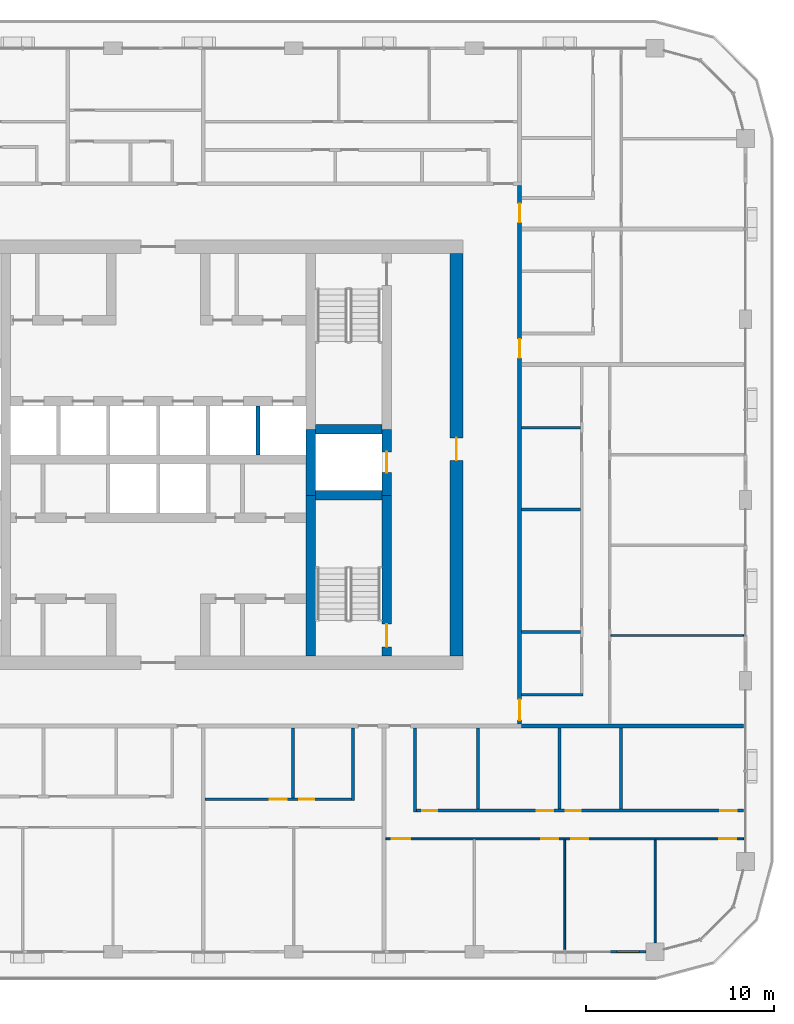
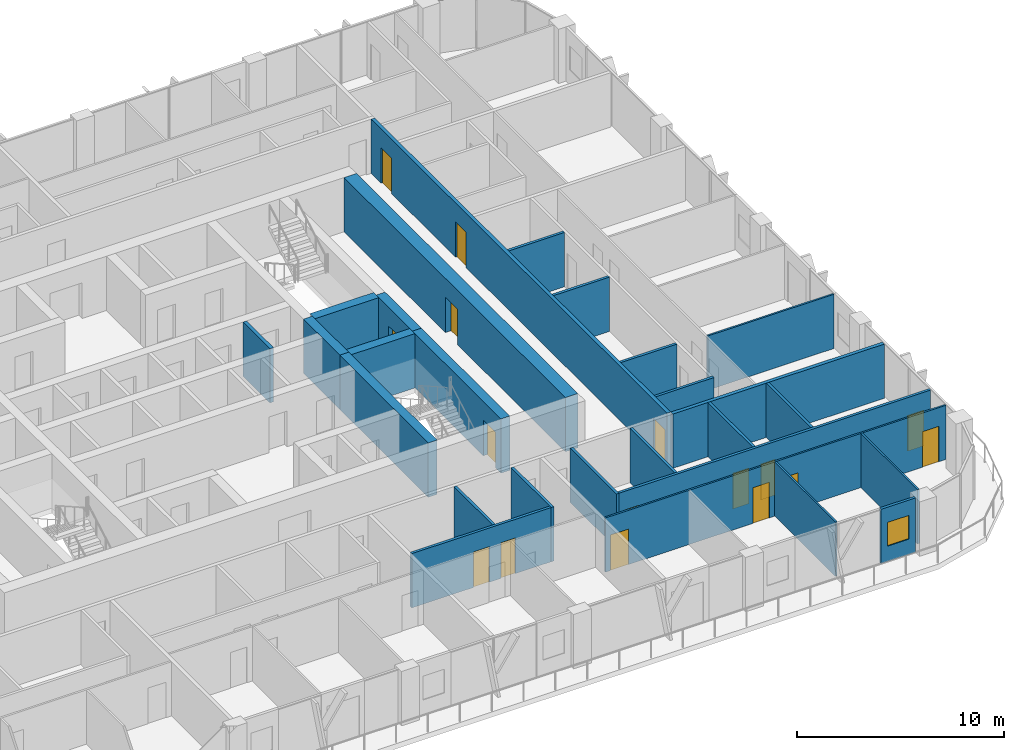
# One storey, part 12 of 22: 27 walls, 16 doors, 1 window, 17 openings.
"""IFC4 building model written with IfcOpenShell, lengths in metres."""

from ifc_helpers import new_model, si_unit, direction, frame, frame_2d, origin, place, context, subcontext, project, spatial, rectangle, extrude, material, layer, layer_set, type_object, element, fill, save


model = new_model("IFC4")

# Units and contexts
model_context = context("Model", 3, precision=1e-05, world=origin(), true_north=direction((0.0, 1.0)))
body_context = subcontext(model_context, "Body", "Model", "MODEL_VIEW")
ifc_project = project(units=[si_unit("LENGTHUNIT", "METRE"), si_unit("AREAUNIT", "SQUARE_METRE"), si_unit("VOLUMEUNIT", "CUBIC_METRE"), si_unit("PLANEANGLEUNIT", "RADIAN"), si_unit("MASSUNIT", "GRAM", prefix="KILO")], contexts=[model_context])

# Site, building, storey
site_placement = place(None, origin())
site = spatial("IfcSite", under=ifc_project, at=site_placement, CompositionType="ELEMENT")
building_placement = place(site_placement, origin())
building = spatial("IfcBuilding", under=site, at=building_placement, Name="Madar Terraces", CompositionType="ELEMENT")
storey_placement = place(building_placement, frame((0.0, 0.0, 178.89990234375)))
storey = spatial("IfcBuildingStorey", under=building, at=storey_placement, Name="L46", CompositionType="ELEMENT", Elevation=178.89990234375)

# Walls
ifc_material_1 = material(Name="Concrete C60/75", Category="concrete")
ifc_layer_1 = layer(ifc_material_1, 0.5)
ifc_layer_set_1 = layer_set([ifc_layer_1], Name="Concrete C60/75 (CIW4 RC wall 500)")
wall_type_1 = type_object("IfcWallType", Name="CIW4 RC wall 500", PredefinedType="SHEAR", material=ifc_layer_set_1)
wall_1_placement = place(storey_placement, frame((39.300048828125, 15.699951171875, 0.0), z_axis=(0.0, 0.0, 1.0), x_axis=(0.0, 1.0, 0.0)))
element("IfcWall", 1, at=wall_1_placement, inside=storey, type_object=wall_type_1, Name="CORE SHAFT WALL", PredefinedType="SHEAR", context=body_context, shape_type="SweptSolid", body=[
    extrude(rectangle(XDim=8.550048828125, YDim=0.5, at=frame_2d((4.27490234375, 0.0))), origin(), (0.0, 0.0, 1.0), 3.2001953125),
])
wall_2_placement = place(storey_placement, frame((39.300048828125, 24.25, 0.0), z_axis=(0.0, 0.0, 1.0), x_axis=(0.0, 1.0, 0.0)))
element("IfcWall", 2, at=wall_2_placement, inside=storey, type_object=wall_type_1, Name="CORE SHAFT WALL", PredefinedType="SHEAR", context=body_context, shape_type="SweptSolid", body=[
    extrude(rectangle(XDim=3.5, YDim=0.5, at=frame_2d((1.75, 0.0))), origin(), (0.0, 0.0, 1.0), 3.2001953125),
])

# Wall, opening, door
wall_3_placement = place(storey_placement, frame((43.35009765625, 15.699951171875, 0.0), z_axis=(0.0, 0.0, 1.0), x_axis=(0.0, 1.0, 0.0)))
wall_3 = element("IfcWall", 3, at=wall_3_placement, inside=storey, type_object=wall_type_1, Name="CORE SHAFT WALL", PredefinedType="SHEAR", context=body_context, shape_type="SweptSolid", body=[
    extrude(rectangle(XDim=8.550048828125, YDim=0.5, at=frame_2d((4.27490234375, 0.0))), origin(), (0.0, 0.0, 1.0), 3.2001953125),
])
opening_1_placement = place(wall_3_placement, frame((0.5, 0.0, 0.0)))
opening_1 = element("IfcOpeningElement", 4, at=opening_1_placement, cuts=wall_3, Name="Opening SD1", PredefinedType="OPENING", context=body_context, shape_type="SweptSolid", body=[
    extrude(rectangle(XDim=1.199951171875, YDim=2.10009765625, at=frame_2d((0.60009765625, 1.050048828125))), frame((0.0, 0.260009765625, 0.0), z_axis=(0.0, -1.0, 0.0), x_axis=(1.0, 0.0, 0.0)), (0.0, 0.0, 1.0), 0.52001953125),
])
ifc_material_2 = material(Name="Steel door leaf", Category="steel")
door_type_1 = type_object("IfcDoorType", Name="Stair door 1200 x 2100", OperationType="NOTDEFINED", PredefinedType="DOOR", material=ifc_material_2)
door_1_placement = place(opening_1_placement, origin())
door_1 = element("IfcDoor", 5, at=door_1_placement, inside=storey, type_object=door_type_1, Name="STAIR DOOR", OperationType="SINGLE_SWING_LEFT", OverallHeight=2.10009765625, OverallWidth=1.199951171875, PredefinedType="DOOR", context=body_context, shape_type="SweptSolid", body=[
    extrude(rectangle(XDim=1.199951171875, YDim=2.10009765625, at=frame_2d((0.60009765625, 1.050048828125))), frame((0.0, 0.02490234375, 0.0), z_axis=(0.0, -1.0, 0.0), x_axis=(1.0, 0.0, 0.0)), (0.0, 0.0, 1.0), 0.050048828125),
])
fill(opening_1, door_1)

wall_4_placement = place(storey_placement, frame((43.35009765625, 24.25, 0.0), z_axis=(0.0, 0.0, 1.0), x_axis=(0.0, 1.0, 0.0)))
wall_4 = element("IfcWall", 6, at=wall_4_placement, inside=storey, type_object=wall_type_1, Name="CORE SHAFT WALL", PredefinedType="SHEAR", context=body_context, shape_type="SweptSolid", body=[
    extrude(rectangle(XDim=3.5, YDim=0.5, at=frame_2d((1.75, 0.0))), origin(), (0.0, 0.0, 1.0), 3.2001953125),
])
opening_2_placement = place(wall_4_placement, frame((1.199951171875, 0.0, 0.0)))
opening_2 = element("IfcOpeningElement", 7, at=opening_2_placement, cuts=wall_4, Name="Opening LD", PredefinedType="OPENING", context=body_context, shape_type="SweptSolid", body=[
    extrude(rectangle(XDim=1.10009765625, YDim=2.10009765625, at=frame_2d((0.550048828125, 1.050048828125))), frame((0.0, 0.260009765625, 0.0), z_axis=(0.0, -1.0, 0.0), x_axis=(1.0, 0.0, 0.0)), (0.0, 0.0, 1.0), 0.52001953125),
])
ifc_material_3 = material(Name="Stainless steel panel", Category="steel")
door_type_2 = type_object("IfcDoorType", Name="Lift landing door 1100 x 2100", OperationType="DOUBLE_DOOR_SLIDING", PredefinedType="DOOR", material=ifc_material_3)
door_2_placement = place(opening_2_placement, origin())
door_2 = element("IfcDoor", 8, at=door_2_placement, inside=storey, type_object=door_type_2, Name="LIFT LANDING DOOR", OperationType="DOUBLE_DOOR_SLIDING", OverallHeight=2.10009765625, OverallWidth=1.10009765625, PredefinedType="DOOR", context=body_context, shape_type="SweptSolid", body=[
    extrude(rectangle(XDim=1.10009765625, YDim=2.10009765625, at=frame_2d((0.550048828125, 1.050048828125))), frame((0.0, 0.02490234375, 0.0), z_axis=(0.0, -1.0, 0.0), x_axis=(1.0, 0.0, 0.0)), (0.0, 0.0, 1.0), 0.050048828125),
])
fill(opening_2, door_2)

# Walls
for number, where, z_axis, x_axis, name in (
    (9, (39.550048828125, 24.25, 0.0), (0.0, 0.0, 1.0), (1.0, 0.0, 0.0), "CORE SHAFT WALL"),
    (10, (39.550048828125, 27.75, 0.0), (0.0, 0.0, 1.0), (1.0, 0.0, 0.0), "CORE SHAFT WALL"),
):
    element("IfcWall", number, at=place(storey_placement, frame(where, z_axis=z_axis, x_axis=x_axis)), inside=storey, type_object=wall_type_1, Name=name, PredefinedType="SHEAR", context=body_context, shape_type="SweptSolid", body=[
        extrude(rectangle(XDim=3.550048828125, YDim=0.5, at=frame_2d((1.77490234375, 0.0))), origin(), (0.0, 0.0, 1.0), 3.2001953125),
    ])

# Wall, opening, door
ifc_material_4 = material(Name="Concrete C60/75", Category="concrete")
ifc_layer_2 = layer(ifc_material_4, 0.699951171875)
ifc_layer_set_2 = layer_set([ifc_layer_2], Name="Concrete C60/75 (CRW4 RC wall 700)")
wall_type_2 = type_object("IfcWallType", Name="CRW4 RC wall 700", PredefinedType="SHEAR", material=ifc_layer_set_2)
wall_5_placement = place(storey_placement, frame((47.050048828125, 15.699951171875, 0.0), z_axis=(0.0, 0.0, 1.0), x_axis=(0.0, 1.0, 0.0)))
wall_5 = element("IfcWall", 11, at=wall_5_placement, inside=storey, type_object=wall_type_2, Name="CORE OUTER WALL", PredefinedType="SHEAR", context=body_context, shape_type="SweptSolid", body=[
    extrude(rectangle(XDim=21.400146484375, YDim=0.699951171875, at=frame_2d((10.7001953125, 0.0))), origin(), (0.0, 0.0, 1.0), 3.2001953125),
])
opening_3_placement = place(wall_5_placement, frame((10.39990234375, 0.0, 0.0)))
opening_3 = element("IfcOpeningElement", 12, at=opening_3_placement, cuts=wall_5, Name="Opening SD1", PredefinedType="OPENING", context=body_context, shape_type="SweptSolid", body=[
    extrude(rectangle(XDim=1.199951171875, YDim=2.10009765625, at=frame_2d((0.60009765625, 1.050048828125))), frame((0.0, 0.35986328125, 0.0), z_axis=(0.0, -1.0, 0.0), x_axis=(1.0, 0.0, 0.0)), (0.0, 0.0, 1.0), 0.719970703125),
])
door_3_placement = place(opening_3_placement, origin())
door_3 = element("IfcDoor", 13, at=door_3_placement, inside=storey, type_object=door_type_1, Name="STAIR DOOR", OperationType="SINGLE_SWING_RIGHT", OverallHeight=2.10009765625, OverallWidth=1.199951171875, PredefinedType="DOOR", context=body_context, shape_type="SweptSolid", body=[
    extrude(rectangle(XDim=1.199951171875, YDim=2.10009765625, at=frame_2d((0.60009765625, 1.050048828125))), frame((0.0, 0.02490234375, 0.0), z_axis=(0.0, -1.0, 0.0), x_axis=(1.0, 0.0, 0.0)), (0.0, 0.0, 1.0), 0.050048828125),
])
fill(opening_3, door_3)

# Wall
ifc_material_5 = material(Name="Concrete C40/50", Category="concrete")
ifc_layer_3 = layer(ifc_material_5, 0.199951171875)
ifc_layer_set_3 = layer_set([ifc_layer_3], Name="Core shaft dividing wall 200 C40/50")
wall_type_3 = type_object("IfcWallType", Name="Core shaft dividing wall 200 C40/50", PredefinedType="SOLIDWALL", material=ifc_layer_set_3)
wall_6_placement = place(storey_placement, frame((36.5, 26.39990234375, 0.0), z_axis=(0.0, 0.0, 1.0), x_axis=(0.0, 1.0, 0.0)))
element("IfcWall", 14, at=wall_6_placement, inside=storey, type_object=wall_type_3, Name="SHAFT DIVIDING WALL", PredefinedType="SOLIDWALL", context=body_context, shape_type="SweptSolid", body=[
    extrude(rectangle(XDim=2.60009765625, YDim=0.199951171875, at=frame_2d((1.300048828125, 0.0))), origin(), (0.0, 0.0, 1.0), 3.2001953125),
])

# Wall, opening, window
ifc_material_6 = material(Name="Aluminium composite panel, black, over insulated backing", Category="aluminium")
ifc_layer_4 = layer(ifc_material_6, 0.14990234375)
ifc_layer_set_4 = layer_set([ifc_layer_4], Name="Facade bay panel 150")
wall_type_4 = type_object("IfcWallType", Name="Facade bay panel 150", PredefinedType="SOLIDWALL", material=ifc_layer_set_4)
wall_7_placement = place(storey_placement, frame((55.199951171875, 0.0, 0.0), z_axis=(0.0, 0.0, 1.0), x_axis=(1.0, 0.0, 0.0)))
wall_7 = element("IfcWall", 15, at=wall_7_placement, inside=storey, type_object=wall_type_4, Name="Facade bay panel", PredefinedType="SOLIDWALL", context=body_context, shape_type="SweptSolid", body=[
    extrude(rectangle(XDim=1.925048828125, YDim=0.14990234375, at=frame_2d((0.96240234375, 0.0))), origin(), (0.0, 0.0, 1.0), 3.2001953125),
])
opening_4_placement = place(wall_7_placement, frame((0.362548828125, 0.0, 0.89990234375)))
opening_4 = element("IfcOpeningElement", 16, at=opening_4_placement, cuts=wall_7, Name="Opening W1", PredefinedType="OPENING", context=body_context, shape_type="SweptSolid", body=[
    extrude(rectangle(XDim=1.199951171875, YDim=1.39990234375, at=frame_2d((0.60009765625, 0.699951171875))), frame((0.0, 0.0849609375, 0.0), z_axis=(0.0, -1.0, 0.0), x_axis=(1.0, 0.0, 0.0)), (0.0, 0.0, 1.0), 0.169921875),
])
ifc_material_7 = material(Name="Glass, clear, with black aluminium frame", Category="aluminium")
window_type = type_object("IfcWindowType", Name="Vent window 1200 x 1400", PartitioningType="SINGLE_PANEL", PredefinedType="WINDOW", material=ifc_material_7)
window_placement = place(opening_4_placement, origin())
window = element("IfcWindow", 17, at=window_placement, inside=storey, type_object=window_type, Name="Operable vent window", OverallHeight=1.39990234375, OverallWidth=1.199951171875, PartitioningType="SINGLE_PANEL", PredefinedType="WINDOW", context=body_context, shape_type="SweptSolid", body=[
    extrude(rectangle(XDim=1.199951171875, YDim=1.39990234375, at=frame_2d((0.60009765625, 0.699951171875))), frame((0.0, 0.030029296875, 0.0), z_axis=(0.0, -1.0, 0.0), x_axis=(1.0, 0.0, 0.0)), (0.0, 0.0, 1.0), 0.06005859375),
])
fill(opening_4, window)

# Walls
ifc_material_8 = material(Name="Gypsum board on steel studs", Category="steel")
ifc_layer_5 = layer(ifc_material_8, 0.10009765625)
ifc_layer_set_5 = layer_set([ifc_layer_5], Name="Flat partition 100")
wall_type_5 = type_object("IfcWallType", Name="Flat partition 100", PredefinedType="PARTITIONING", material=ifc_layer_set_5)
wall_8_placement = place(storey_placement, frame((52.800048828125, 5.949951171875, 0.0), z_axis=(0.0, 0.0, 1.0), x_axis=(0.0, -1.0, 0.0)))
element("IfcWall", 18, at=wall_8_placement, inside=storey, type_object=wall_type_5, Name="Flat partition 100", PredefinedType="PARTITIONING", context=body_context, shape_type="SweptSolid", body=[
    extrude(rectangle(XDim=5.849853515625, YDim=0.10009765625, at=frame_2d((2.9248046875, 0.0))), origin(), (0.0, 0.0, 1.0), 3.2001953125),
])
wall_9_placement = place(storey_placement, frame((57.60009765625, 5.949951171875, 0.0), z_axis=(0.0, 0.0, 1.0), x_axis=(0.0, -1.0, 0.0)))
element("IfcWall", 19, at=wall_9_placement, inside=storey, type_object=wall_type_5, Name="Flat partition 100", PredefinedType="PARTITIONING", context=body_context, shape_type="SweptSolid", body=[
    extrude(rectangle(XDim=5.474853515625, YDim=0.10009765625, at=frame_2d((2.7373046875, 0.0))), origin(), (0.0, 0.0, 1.0), 3.2001953125),
])

# Wall, openings, doors
wall_10_placement = place(storey_placement, frame((62.300048828125, 6.0, 0.0), z_axis=(0.0, 0.0, 1.0), x_axis=(-1.0, 0.0, 0.0)))
wall_10 = element("IfcWall", 20, at=wall_10_placement, inside=storey, type_object=wall_type_5, Name="Flat partition 100", PredefinedType="PARTITIONING", context=body_context, shape_type="SweptSolid", body=[
    extrude(rectangle(XDim=19.0, YDim=0.10009765625, at=frame_2d((9.5, 0.0))), origin(), (0.0, 0.0, 1.0), 3.2001953125),
])
opening_5_placement = place(wall_10_placement, frame((17.699951171875, 0.0, 0.0)))
opening_5 = element("IfcOpeningElement", 21, at=opening_5_placement, cuts=wall_10, Name="Opening D3", PredefinedType="OPENING", context=body_context, shape_type="SweptSolid", body=[
    extrude(rectangle(XDim=1.0, YDim=2.10009765625, at=frame_2d((0.5, 1.050048828125))), frame((0.0, 0.06005859375, 0.0), z_axis=(0.0, -1.0, 0.0), x_axis=(1.0, 0.0, 0.0)), (0.0, 0.0, 1.0), 0.1201171875),
])
opening_6_placement = place(wall_10_placement, frame((9.85009765625, 0.0, 0.0)))
opening_6 = element("IfcOpeningElement", 22, at=opening_6_placement, cuts=wall_10, Name="Opening D2", PredefinedType="OPENING", context=body_context, shape_type="SweptSolid", body=[
    extrude(rectangle(XDim=0.89990234375, YDim=2.10009765625, at=frame_2d((0.449951171875, 1.050048828125))), frame((0.0, 0.06005859375, 0.0), z_axis=(0.0, -1.0, 0.0), x_axis=(1.0, 0.0, 0.0)), (0.0, 0.0, 1.0), 0.1201171875),
])
opening_7_placement = place(wall_10_placement, frame((8.25, 0.0, 0.0)))
opening_7 = element("IfcOpeningElement", 23, at=opening_7_placement, cuts=wall_10, Name="Opening D2", PredefinedType="OPENING", context=body_context, shape_type="SweptSolid", body=[
    extrude(rectangle(XDim=0.89990234375, YDim=2.10009765625, at=frame_2d((0.449951171875, 1.050048828125))), frame((0.0, 0.06005859375, 0.0), z_axis=(0.0, -1.0, 0.0), x_axis=(1.0, 0.0, 0.0)), (0.0, 0.0, 1.0), 0.1201171875),
])
opening_8_placement = place(wall_10_placement, frame((0.39990234375, 0.0, 0.0)))
opening_8 = element("IfcOpeningElement", 24, at=opening_8_placement, cuts=wall_10, Name="Opening D2", PredefinedType="OPENING", context=body_context, shape_type="SweptSolid", body=[
    extrude(rectangle(XDim=0.89990234375, YDim=2.10009765625, at=frame_2d((0.449951171875, 1.050048828125))), frame((0.0, 0.06005859375, 0.0), z_axis=(0.0, -1.0, 0.0), x_axis=(1.0, 0.0, 0.0)), (0.0, 0.0, 1.0), 0.1201171875),
])
ifc_material_9 = material(Name="Timber door leaf", Category="wood")
door_type_3 = type_object("IfcDoorType", Name="Flat living room door 1000", OperationType="NOTDEFINED", PredefinedType="DOOR", material=ifc_material_9)
door_4_placement = place(opening_5_placement, origin())
door_4 = element("IfcDoor", 25, at=door_4_placement, inside=storey, type_object=door_type_3, Name="Flat living room door 1000", OperationType="SINGLE_SWING_RIGHT", OverallHeight=2.10009765625, OverallWidth=1.0, PredefinedType="DOOR", context=body_context, shape_type="SweptSolid", body=[
    extrude(rectangle(XDim=1.0, YDim=2.10009765625, at=frame_2d((0.5, 1.050048828125))), frame((0.0, 0.02490234375, 0.0), z_axis=(0.0, -1.0, 0.0), x_axis=(1.0, 0.0, 0.0)), (0.0, 0.0, 1.0), 0.050048828125),
])
fill(opening_5, door_4)
ifc_material_10 = material(Name="Timber door leaf", Category="wood")
door_type_4 = type_object("IfcDoorType", Name="Flat room door 900", OperationType="NOTDEFINED", PredefinedType="DOOR", material=ifc_material_10)
door_5_placement = place(opening_6_placement, origin())
door_5 = element("IfcDoor", 26, at=door_5_placement, inside=storey, type_object=door_type_4, Name="Flat room door 900", OperationType="SINGLE_SWING_LEFT", OverallHeight=2.10009765625, OverallWidth=0.89990234375, PredefinedType="DOOR", context=body_context, shape_type="SweptSolid", body=[
    extrude(rectangle(XDim=0.89990234375, YDim=2.10009765625, at=frame_2d((0.449951171875, 1.050048828125))), frame((0.0, 0.02490234375, 0.0), z_axis=(0.0, -1.0, 0.0), x_axis=(1.0, 0.0, 0.0)), (0.0, 0.0, 1.0), 0.050048828125),
])
fill(opening_6, door_5)
door_6_placement = place(opening_7_placement, origin())
door_6 = element("IfcDoor", 27, at=door_6_placement, inside=storey, type_object=door_type_4, Name="Flat room door 900", OperationType="SINGLE_SWING_RIGHT", OverallHeight=2.10009765625, OverallWidth=0.89990234375, PredefinedType="DOOR", context=body_context, shape_type="SweptSolid", body=[
    extrude(rectangle(XDim=0.89990234375, YDim=2.10009765625, at=frame_2d((0.449951171875, 1.050048828125))), frame((0.0, 0.02490234375, 0.0), z_axis=(0.0, -1.0, 0.0), x_axis=(1.0, 0.0, 0.0)), (0.0, 0.0, 1.0), 0.050048828125),
])
fill(opening_7, door_6)
door_7_placement = place(opening_8_placement, origin())
door_7 = element("IfcDoor", 28, at=door_7_placement, inside=storey, type_object=door_type_4, Name="Flat room door 900", OperationType="SINGLE_SWING_LEFT", OverallHeight=2.10009765625, OverallWidth=0.89990234375, PredefinedType="DOOR", context=body_context, shape_type="SweptSolid", body=[
    extrude(rectangle(XDim=0.89990234375, YDim=2.10009765625, at=frame_2d((0.449951171875, 1.050048828125))), frame((0.0, 0.02490234375, 0.0), z_axis=(0.0, -1.0, 0.0), x_axis=(1.0, 0.0, 0.0)), (0.0, 0.0, 1.0), 0.050048828125),
])
fill(opening_8, door_7)

# Wall
wall_11_placement = place(storey_placement, frame((55.25, 16.800048828125, 0.0), z_axis=(0.0, 0.0, 1.0), x_axis=(1.0, 0.0, 0.0)))
element("IfcWall", 29, at=wall_11_placement, inside=storey, type_object=wall_type_5, Name="Flat partition 100", PredefinedType="PARTITIONING", context=body_context, shape_type="SweptSolid", body=[
    extrude(rectangle(XDim=7.050048828125, YDim=0.10009765625, at=frame_2d((3.52490234375, 0.0))), origin(), (0.0, 0.0, 1.0), 3.2001953125),
])

# Wall, openings, doors
ifc_material_11 = material(Name="Lightweight blockwork", Category="masonry")
ifc_layer_6 = layer(ifc_material_11, 0.199951171875)
ifc_layer_set_6 = layer_set([ifc_layer_6], Name="Flat party and entrance wall 200")
wall_type_6 = type_object("IfcWallType", Name="Flat party and entrance wall 200", PredefinedType="PARTITIONING", material=ifc_layer_set_6)
wall_12_placement = place(storey_placement, frame((50.39990234375, 40.699951171875, 0.0), z_axis=(0.0, 0.0, 1.0), x_axis=(0.0, -1.0, 0.0)))
wall_12 = element("IfcWall", 30, at=wall_12_placement, inside=storey, type_object=wall_type_6, Name="Flat party and entrance wall 200", PredefinedType="PARTITIONING", context=body_context, shape_type="SweptSolid", body=[
    extrude(rectangle(XDim=28.599853515625, YDim=0.199951171875, at=frame_2d((14.2998046875, 0.0))), origin(), (0.0, 0.0, 1.0), 3.2001953125),
])
opening_9_placement = place(wall_12_placement, frame((27.300048828125, 0.0, 0.0)))
opening_9 = element("IfcOpeningElement", 31, at=opening_9_placement, cuts=wall_12, Name="Opening D6", PredefinedType="OPENING", context=body_context, shape_type="SweptSolid", body=[
    extrude(rectangle(XDim=1.10009765625, YDim=2.10009765625, at=frame_2d((0.550048828125, 1.050048828125))), frame((0.0, 0.10986328125, 0.0), z_axis=(0.0, -1.0, 0.0), x_axis=(1.0, 0.0, 0.0)), (0.0, 0.0, 1.0), 0.219970703125),
])
opening_10_placement = place(wall_12_placement, frame((8.14990234375, 0.0, 0.0)))
opening_10 = element("IfcOpeningElement", 32, at=opening_10_placement, cuts=wall_12, Name="Opening D1", PredefinedType="OPENING", context=body_context, shape_type="SweptSolid", body=[
    extrude(rectangle(XDim=1.0, YDim=2.10009765625, at=frame_2d((0.5, 1.050048828125))), frame((0.0, 0.10986328125, 0.0), z_axis=(0.0, -1.0, 0.0), x_axis=(1.0, 0.0, 0.0)), (0.0, 0.0, 1.0), 0.219970703125),
])
opening_11_placement = place(wall_12_placement, frame((0.949951171875, 0.0, 0.0)))
opening_11 = element("IfcOpeningElement", 33, at=opening_11_placement, cuts=wall_12, Name="Opening D1", PredefinedType="OPENING", context=body_context, shape_type="SweptSolid", body=[
    extrude(rectangle(XDim=1.0, YDim=2.10009765625, at=frame_2d((0.5, 1.050048828125))), frame((0.0, 0.10986328125, 0.0), z_axis=(0.0, -1.0, 0.0), x_axis=(1.0, 0.0, 0.0)), (0.0, 0.0, 1.0), 0.219970703125),
])
ifc_material_12 = material(Name="Timber fire door leaf", Category="wood")
door_type_5 = type_object("IfcDoorType", Name="Flat entrance door 1000 FD30S", OperationType="NOTDEFINED", PredefinedType="DOOR", material=ifc_material_12)
door_8_placement = place(opening_10_placement, origin())
door_8 = element("IfcDoor", 34, at=door_8_placement, inside=storey, type_object=door_type_5, Name="Flat entrance door 1000 FD30S", OperationType="SINGLE_SWING_RIGHT", OverallHeight=2.10009765625, OverallWidth=1.0, PredefinedType="DOOR", context=body_context, shape_type="SweptSolid", body=[
    extrude(rectangle(XDim=1.0, YDim=2.10009765625, at=frame_2d((0.5, 1.050048828125))), frame((0.0, 0.02490234375, 0.0), z_axis=(0.0, -1.0, 0.0), x_axis=(1.0, 0.0, 0.0)), (0.0, 0.0, 1.0), 0.050048828125),
])
fill(opening_10, door_8)
door_9_placement = place(opening_11_placement, origin())
door_9 = element("IfcDoor", 35, at=door_9_placement, inside=storey, type_object=door_type_5, Name="Flat entrance door 1000 FD30S", OperationType="SINGLE_SWING_RIGHT", OverallHeight=2.10009765625, OverallWidth=1.0, PredefinedType="DOOR", context=body_context, shape_type="SweptSolid", body=[
    extrude(rectangle(XDim=1.0, YDim=2.10009765625, at=frame_2d((0.5, 1.050048828125))), frame((0.0, 0.02490234375, 0.0), z_axis=(0.0, -1.0, 0.0), x_axis=(1.0, 0.0, 0.0)), (0.0, 0.0, 1.0), 0.050048828125),
])
fill(opening_11, door_9)
ifc_material_13 = material(Name="Timber fire door leaf", Category="wood")
door_type_6 = type_object("IfcDoorType", Name="Flat entrance door 1100 FD30S", OperationType="NOTDEFINED", PredefinedType="DOOR", material=ifc_material_13)
door_10_placement = place(opening_9_placement, origin())
door_10 = element("IfcDoor", 36, at=door_10_placement, inside=storey, type_object=door_type_6, Name="Flat entrance door 1100 FD30S", OperationType="SINGLE_SWING_RIGHT", OverallHeight=2.10009765625, OverallWidth=1.10009765625, PredefinedType="DOOR", context=body_context, shape_type="SweptSolid", body=[
    extrude(rectangle(XDim=1.10009765625, YDim=2.10009765625, at=frame_2d((0.550048828125, 1.050048828125))), frame((0.0, 0.02490234375, 0.0), z_axis=(0.0, -1.0, 0.0), x_axis=(1.0, 0.0, 0.0)), (0.0, 0.0, 1.0), 0.050048828125),
])
fill(opening_9, door_10)

# Walls
wall_13_placement = place(storey_placement, frame((50.5, 12.0, 0.0), z_axis=(0.0, 0.0, 1.0), x_axis=(1.0, 0.0, 0.0)))
element("IfcWall", 37, at=wall_13_placement, inside=storey, type_object=wall_type_6, Name="Flat party and entrance wall 200", PredefinedType="PARTITIONING", context=body_context, shape_type="SweptSolid", body=[
    extrude(rectangle(XDim=11.800048828125, YDim=0.199951171875, at=frame_2d((5.89990234375, 0.0))), origin(), (0.0, 0.0, 1.0), 3.2001953125),
])
ifc_material_14 = material(Name="Lightweight blockwork", Category="masonry")
ifc_layer_7 = layer(ifc_material_14, 0.14990234375)
ifc_layer_set_7 = layer_set([ifc_layer_7], Name="Flat wet-room partition 150")
wall_type_7 = type_object("IfcWallType", Name="Flat wet-room partition 150", PredefinedType="PARTITIONING", material=ifc_layer_set_7)
wall_14_placement = place(storey_placement, frame((38.364990234375, 11.89990234375, 0.0), z_axis=(0.0, 0.0, 1.0), x_axis=(0.0, -1.0, 0.0)))
element("IfcWall", 38, at=wall_14_placement, inside=storey, type_object=wall_type_7, Name="Flat wet-room partition 150", PredefinedType="PARTITIONING", context=body_context, shape_type="SweptSolid", body=[
    extrude(rectangle(XDim=3.724853515625, YDim=0.14990234375, at=frame_2d((1.8623046875, 0.0))), origin(), (0.0, 0.0, 1.0), 3.2001953125),
])
wall_15_placement = place(storey_placement, frame((41.550048828125, 11.89990234375, 0.0), z_axis=(0.0, 0.0, 1.0), x_axis=(0.0, -1.0, 0.0)))
element("IfcWall", 39, at=wall_15_placement, inside=storey, type_object=wall_type_7, Name="Flat wet-room partition 150", PredefinedType="PARTITIONING", context=body_context, shape_type="SweptSolid", body=[
    extrude(rectangle(XDim=3.875, YDim=0.14990234375, at=frame_2d((1.9375, 0.0))), origin(), (0.0, 0.0, 1.0), 3.2001953125),
])

# Wall, openings, doors
wall_16_placement = place(storey_placement, frame((33.699951171875, 8.10009765625, 0.0), z_axis=(0.0, 0.0, 1.0), x_axis=(1.0, 0.0, 0.0)))
wall_16 = element("IfcWall", 40, at=wall_16_placement, inside=storey, type_object=wall_type_7, Name="Flat wet-room partition 150", PredefinedType="PARTITIONING", context=body_context, shape_type="SweptSolid", body=[
    extrude(rectangle(XDim=7.775146484375, YDim=0.14990234375, at=frame_2d((3.8876953125, 0.0))), origin(), (0.0, 0.0, 1.0), 3.2001953125),
])
opening_12_placement = place(wall_16_placement, frame((4.989990234375, 0.0, 0.0)))
opening_12 = element("IfcOpeningElement", 41, at=opening_12_placement, cuts=wall_16, Name="Opening D4", PredefinedType="OPENING", context=body_context, shape_type="SweptSolid", body=[
    extrude(rectangle(XDim=0.800048828125, YDim=2.10009765625, at=frame_2d((0.39990234375, 1.050048828125))), frame((0.0, 0.0849609375, 0.0), z_axis=(0.0, -1.0, 0.0), x_axis=(1.0, 0.0, 0.0)), (0.0, 0.0, 1.0), 0.169921875),
])
opening_13_placement = place(wall_16_placement, frame((3.43994140625, 0.0, 0.0)))
opening_13 = element("IfcOpeningElement", 42, at=opening_13_placement, cuts=wall_16, Name="Opening D2", PredefinedType="OPENING", context=body_context, shape_type="SweptSolid", body=[
    extrude(rectangle(XDim=0.89990234375, YDim=2.10009765625, at=frame_2d((0.449951171875, 1.050048828125))), frame((0.0, 0.0849609375, 0.0), z_axis=(0.0, -1.0, 0.0), x_axis=(1.0, 0.0, 0.0)), (0.0, 0.0, 1.0), 0.169921875),
])
ifc_material_15 = material(Name="Timber door leaf", Category="wood")
door_type_7 = type_object("IfcDoorType", Name="Flat bathroom door 800", OperationType="NOTDEFINED", PredefinedType="DOOR", material=ifc_material_15)
door_11_placement = place(opening_12_placement, origin())
door_11 = element("IfcDoor", 43, at=door_11_placement, inside=storey, type_object=door_type_7, Name="Flat bathroom door 800", OperationType="SINGLE_SWING_LEFT", OverallHeight=2.10009765625, OverallWidth=0.800048828125, PredefinedType="DOOR", context=body_context, shape_type="SweptSolid", body=[
    extrude(rectangle(XDim=0.800048828125, YDim=2.10009765625, at=frame_2d((0.39990234375, 1.050048828125))), frame((0.0, 0.02490234375, 0.0), z_axis=(0.0, -1.0, 0.0), x_axis=(1.0, 0.0, 0.0)), (0.0, 0.0, 1.0), 0.050048828125),
])
fill(opening_12, door_11)
door_12_placement = place(opening_13_placement, origin())
door_12 = element("IfcDoor", 44, at=door_12_placement, inside=storey, type_object=door_type_4, Name="Flat room door 900", OperationType="SINGLE_SWING_RIGHT", OverallHeight=2.10009765625, OverallWidth=0.89990234375, PredefinedType="DOOR", context=body_context, shape_type="SweptSolid", body=[
    extrude(rectangle(XDim=0.89990234375, YDim=2.10009765625, at=frame_2d((0.449951171875, 1.050048828125))), frame((0.0, 0.02490234375, 0.0), z_axis=(0.0, -1.0, 0.0), x_axis=(1.0, 0.0, 0.0)), (0.0, 0.0, 1.0), 0.050048828125),
])
fill(opening_13, door_12)

# Walls
for number, where, z_axis, x_axis, name in (
    (45, (48.182861328125, 11.89990234375, 0.0), (0.0, 0.0, 1.0), (0.0, -1.0, 0.0), "Flat wet-room partition 150"),
    (46, (52.526611328125, 11.89990234375, 0.0), (0.0, 0.0, 1.0), (0.0, -1.0, 0.0), "Flat wet-room partition 150"),
    (47, (55.784423828125, 11.89990234375, 0.0), (0.0, 0.0, 1.0), (0.0, -1.0, 0.0), "Flat wet-room partition 150"),
):
    element("IfcWall", number, at=place(storey_placement, frame(where, z_axis=z_axis, x_axis=x_axis)), inside=storey, type_object=wall_type_7, Name=name, PredefinedType="PARTITIONING", context=body_context, shape_type="SweptSolid", body=[
        extrude(rectangle(XDim=4.324951171875, YDim=0.14990234375, at=frame_2d((2.16259765625, 0.0))), origin(), (0.0, 0.0, 1.0), 3.2001953125),
    ])
wall_17_placement = place(storey_placement, frame((44.85009765625, 11.89990234375, 0.0), z_axis=(0.0, 0.0, 1.0), x_axis=(0.0, -1.0, 0.0)))
element("IfcWall", 48, at=wall_17_placement, inside=storey, type_object=wall_type_7, Name="Flat wet-room partition 150", PredefinedType="PARTITIONING", context=body_context, shape_type="SweptSolid", body=[
    extrude(rectangle(XDim=4.474853515625, YDim=0.14990234375, at=frame_2d((2.2373046875, 0.0))), origin(), (0.0, 0.0, 1.0), 3.2001953125),
])

# Wall, openings, doors
wall_18_placement = place(storey_placement, frame((44.925048828125, 7.5, 0.0), z_axis=(0.0, 0.0, 1.0), x_axis=(1.0, 0.0, 0.0)))
wall_18 = element("IfcWall", 49, at=wall_18_placement, inside=storey, type_object=wall_type_7, Name="Flat wet-room partition 150", PredefinedType="PARTITIONING", context=body_context, shape_type="SweptSolid", body=[
    extrude(rectangle(XDim=17.375, YDim=0.14990234375, at=frame_2d((8.6875, 0.0))), origin(), (0.0, 0.0, 1.0), 3.2001953125),
])
opening_14_placement = place(wall_18_placement, frame((0.300048828125, 0.0, 0.0)))
opening_14 = element("IfcOpeningElement", 50, at=opening_14_placement, cuts=wall_18, Name="Opening D7", PredefinedType="OPENING", context=body_context, shape_type="SweptSolid", body=[
    extrude(rectangle(XDim=0.800048828125, YDim=2.10009765625, at=frame_2d((0.39990234375, 1.050048828125))), frame((0.0, 0.0849609375, 0.0), z_axis=(0.0, -1.0, 0.0), x_axis=(1.0, 0.0, 0.0)), (0.0, 0.0, 1.0), 0.169921875),
])
opening_15_placement = place(wall_18_placement, frame((6.376708984375, 0.0, 0.0)))
opening_15 = element("IfcOpeningElement", 51, at=opening_15_placement, cuts=wall_18, Name="Opening D5", PredefinedType="OPENING", context=body_context, shape_type="SweptSolid", body=[
    extrude(rectangle(XDim=0.89990234375, YDim=2.10009765625, at=frame_2d((0.449951171875, 1.050048828125))), frame((0.0, 0.0849609375, 0.0), z_axis=(0.0, -1.0, 0.0), x_axis=(1.0, 0.0, 0.0)), (0.0, 0.0, 1.0), 0.169921875),
])
opening_16_placement = place(wall_18_placement, frame((7.926513671875, 0.0, 0.0)))
opening_16 = element("IfcOpeningElement", 52, at=opening_16_placement, cuts=wall_18, Name="Opening D4", PredefinedType="OPENING", context=body_context, shape_type="SweptSolid", body=[
    extrude(rectangle(XDim=0.800048828125, YDim=2.10009765625, at=frame_2d((0.39990234375, 1.050048828125))), frame((0.0, 0.0849609375, 0.0), z_axis=(0.0, -1.0, 0.0), x_axis=(1.0, 0.0, 0.0)), (0.0, 0.0, 1.0), 0.169921875),
])
opening_17_placement = place(wall_18_placement, frame((16.125, 0.0, 0.0)))
opening_17 = element("IfcOpeningElement", 53, at=opening_17_placement, cuts=wall_18, Name="Opening D2", PredefinedType="OPENING", context=body_context, shape_type="SweptSolid", body=[
    extrude(rectangle(XDim=0.89990234375, YDim=2.10009765625, at=frame_2d((0.449951171875, 1.050048828125))), frame((0.0, 0.0849609375, 0.0), z_axis=(0.0, -1.0, 0.0), x_axis=(1.0, 0.0, 0.0)), (0.0, 0.0, 1.0), 0.169921875),
])
ifc_material_16 = material(Name="Timber door leaf", Category="wood")
door_type_8 = type_object("IfcDoorType", Name="Flat accessible bathroom door 900", OperationType="NOTDEFINED", PredefinedType="DOOR", material=ifc_material_16)
door_13_placement = place(opening_15_placement, origin())
door_13 = element("IfcDoor", 54, at=door_13_placement, inside=storey, type_object=door_type_8, Name="Flat accessible bathroom door 900", OperationType="SINGLE_SWING_RIGHT", OverallHeight=2.10009765625, OverallWidth=0.89990234375, PredefinedType="DOOR", context=body_context, shape_type="SweptSolid", body=[
    extrude(rectangle(XDim=0.89990234375, YDim=2.10009765625, at=frame_2d((0.449951171875, 1.050048828125))), frame((0.0, 0.02490234375, 0.0), z_axis=(0.0, -1.0, 0.0), x_axis=(1.0, 0.0, 0.0)), (0.0, 0.0, 1.0), 0.050048828125),
])
fill(opening_15, door_13)
door_14_placement = place(opening_16_placement, origin())
door_14 = element("IfcDoor", 55, at=door_14_placement, inside=storey, type_object=door_type_7, Name="Flat bathroom door 800", OperationType="SINGLE_SWING_LEFT", OverallHeight=2.10009765625, OverallWidth=0.800048828125, PredefinedType="DOOR", context=body_context, shape_type="SweptSolid", body=[
    extrude(rectangle(XDim=0.800048828125, YDim=2.10009765625, at=frame_2d((0.39990234375, 1.050048828125))), frame((0.0, 0.02490234375, 0.0), z_axis=(0.0, -1.0, 0.0), x_axis=(1.0, 0.0, 0.0)), (0.0, 0.0, 1.0), 0.050048828125),
])
fill(opening_16, door_14)
door_15_placement = place(opening_17_placement, origin())
door_15 = element("IfcDoor", 56, at=door_15_placement, inside=storey, type_object=door_type_4, Name="Flat room door 900", OperationType="SINGLE_SWING_RIGHT", OverallHeight=2.10009765625, OverallWidth=0.89990234375, PredefinedType="DOOR", context=body_context, shape_type="SweptSolid", body=[
    extrude(rectangle(XDim=0.89990234375, YDim=2.10009765625, at=frame_2d((0.449951171875, 1.050048828125))), frame((0.0, 0.02490234375, 0.0), z_axis=(0.0, -1.0, 0.0), x_axis=(1.0, 0.0, 0.0)), (0.0, 0.0, 1.0), 0.050048828125),
])
fill(opening_17, door_15)
ifc_material_17 = material(Name="Timber door leaf", Category="wood")
door_type_9 = type_object("IfcDoorType", Name="Flat utility door 800", OperationType="NOTDEFINED", PredefinedType="DOOR", material=ifc_material_17)
door_16_placement = place(opening_14_placement, origin())
door_16 = element("IfcDoor", 57, at=door_16_placement, inside=storey, type_object=door_type_9, Name="Flat utility door 800", OperationType="SINGLE_SWING_LEFT", OverallHeight=2.10009765625, OverallWidth=0.800048828125, PredefinedType="DOOR", context=body_context, shape_type="SweptSolid", body=[
    extrude(rectangle(XDim=0.800048828125, YDim=2.10009765625, at=frame_2d((0.39990234375, 1.050048828125))), frame((0.0, 0.02490234375, 0.0), z_axis=(0.0, -1.0, 0.0), x_axis=(1.0, 0.0, 0.0)), (0.0, 0.0, 1.0), 0.050048828125),
])
fill(opening_14, door_16)

# Walls
for number, where, z_axis, x_axis, name in (
    (58, (50.5, 16.98291015625, 0.0), (0.0, 0.0, 1.0), (1.0, 0.0, 0.0), "Flat wet-room partition 150"),
    (59, (50.5, 23.498291015625, 0.0), (0.0, 0.0, 1.0), (1.0, 0.0, 0.0), "Flat wet-room partition 150"),
    (60, (50.5, 27.84228515625, 0.0), (0.0, 0.0, 1.0), (1.0, 0.0, 0.0), "Flat wet-room partition 150"),
):
    element("IfcWall", number, at=place(storey_placement, frame(where, z_axis=z_axis, x_axis=x_axis)), inside=storey, type_object=wall_type_7, Name=name, PredefinedType="PARTITIONING", context=body_context, shape_type="SweptSolid", body=[
        extrude(rectangle(XDim=3.125, YDim=0.14990234375, at=frame_2d((1.5625, 0.0))), origin(), (0.0, 0.0, 1.0), 3.2001953125),
    ])
wall_19_placement = place(storey_placement, frame((50.5, 13.64990234375, 0.0), z_axis=(0.0, 0.0, 1.0), x_axis=(1.0, 0.0, 0.0)))
element("IfcWall", 61, at=wall_19_placement, inside=storey, type_object=wall_type_7, Name="Flat wet-room partition 150", PredefinedType="PARTITIONING", context=body_context, shape_type="SweptSolid", body=[
    extrude(rectangle(XDim=3.27490234375, YDim=0.14990234375, at=frame_2d((1.637451171875, 0.0))), origin(), (0.0, 0.0, 1.0), 3.2001953125),
])

save(model, "model.ifc")
